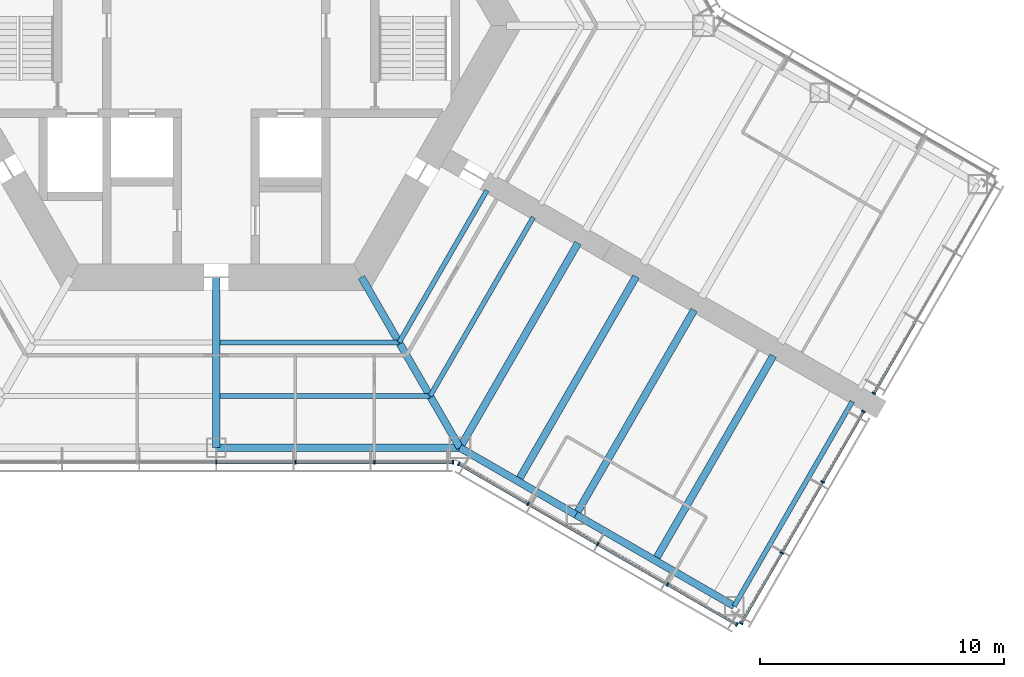
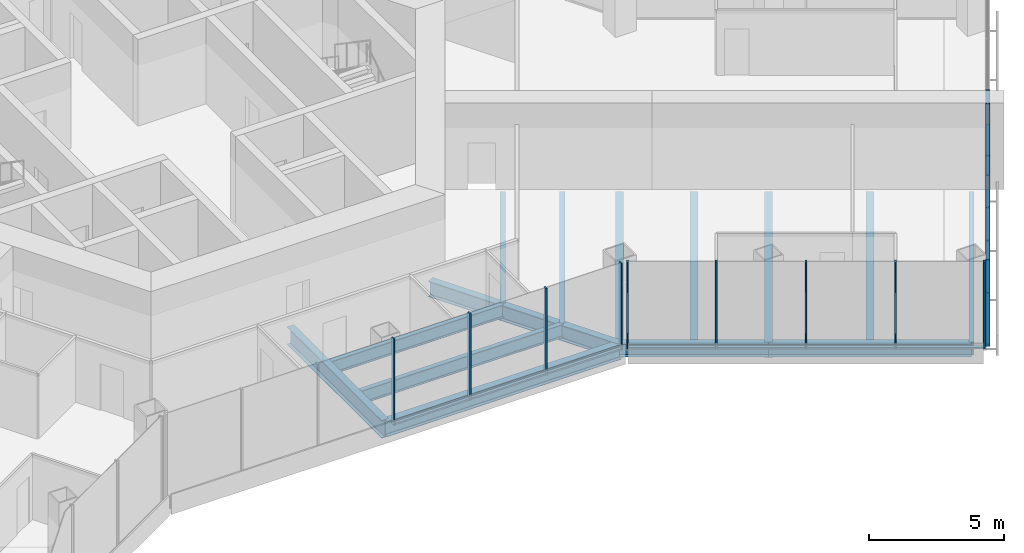
# One storey, part 5 of 18: 25 members, 14 beams, 4 elements without a shape of their own.
"""IFC4 building model written with IfcOpenShell, lengths in metres."""

from ifc_helpers import new_model, si_unit, direction, frame, origin, origin_2d, place, context, subcontext, project, spatial, rectangle, i_section, extrude, material, material_profile, profile_set, type_object, element, aggregate, save


model = new_model("IFC4")

# Units and contexts
model_context = context("Model", 3, precision=1e-05, world=origin(), true_north=direction((0.0, 1.0)))
body_context = subcontext(model_context, "Body", "Model", "MODEL_VIEW")
ifc_project = project(units=[si_unit("LENGTHUNIT", "METRE"), si_unit("AREAUNIT", "SQUARE_METRE"), si_unit("VOLUMEUNIT", "CUBIC_METRE"), si_unit("PLANEANGLEUNIT", "RADIAN"), si_unit("MASSUNIT", "GRAM", prefix="KILO")], contexts=[model_context])

# Site, building, storey
site_placement = place(None, origin())
site = spatial("IfcSite", under=ifc_project, at=site_placement, CompositionType="ELEMENT")
building_placement = place(site_placement, origin())
building = spatial("IfcBuilding", under=site, at=building_placement, Name="Kasaneha Research Tower", CompositionType="ELEMENT")
storey_placement = place(building_placement, frame((0.0, 0.0, 115.800048828125)))
storey = spatial("IfcBuildingStorey", under=building, at=storey_placement, Name="L29", CompositionType="ELEMENT", Elevation=115.800048828125)

# Beams
ifc_material_1 = material(Name="Steel SN490B", Category="steel")
ifc_material_profile_1 = material_profile(ifc_material_1, i_section(OverallWidth=0.199951171875, OverallDepth=0.60009765625, WebThickness=0.010986328125, FlangeThickness=0.01708984375, FilletRadius=0.012939453125, at=origin_2d()), Name="H-600x200x11x17")
ifc_profile_set_1 = profile_set([ifc_material_profile_1], Name="Steel SN490B")
beam_type_1 = type_object("IfcBeamType", Name="B1-3 secondary beam H-600x200x11x17", PredefinedType="JOIST", material=ifc_profile_set_1)
beam_1_placement = place(storey_placement, frame((7.505615234375, -13.0, -0.449951171875), z_axis=(-1.0, 0.0, 0.0), x_axis=(0.0, -1.0, 0.0)))
element("IfcBeam", 1, at=beam_1_placement, inside=storey, type_object=beam_type_1, Name="Secondary beam RS270R1 L29", PredefinedType="JOIST", context=body_context, shape_type="SweptSolid", body=[
    extrude(i_section(OverallWidth=0.199951171875, OverallDepth=0.60009765625, WebThickness=0.010986328125, FlangeThickness=0.01708984375, FilletRadius=0.012939453125, at=origin_2d()), origin(), (0.0, 0.0, 1.0), 7.355712890625),
])
beam_2_placement = place(storey_placement, frame((8.775634765625, -15.199951171875, -0.449951171875), z_axis=(-1.0, 0.0, 0.0), x_axis=(0.0, -1.0, 0.0)))
element("IfcBeam", 2, at=beam_2_placement, inside=storey, type_object=beam_type_1, Name="Secondary beam RS270R2 L29", PredefinedType="JOIST", context=body_context, shape_type="SweptSolid", body=[
    extrude(i_section(OverallWidth=0.199951171875, OverallDepth=0.60009765625, WebThickness=0.010986328125, FlangeThickness=0.01708984375, FilletRadius=0.012939453125, at=origin_2d()), origin(), (0.0, 0.0, 1.0), 8.625732421875),
])
beam_3_placement = place(storey_placement, frame((7.505615234375, -13.0, -0.449951171875), z_axis=(0.499998147991, 0.86602647304, 0.0), x_axis=(-0.86602647304, 0.499998147991, 0.0)))
element("IfcBeam", 3, at=beam_3_placement, inside=storey, type_object=beam_type_1, Name="Secondary beam RS330L1 L29", PredefinedType="JOIST", context=body_context, shape_type="SweptSolid", body=[
    extrude(i_section(OverallWidth=0.199951171875, OverallDepth=0.60009765625, WebThickness=0.010986328125, FlangeThickness=0.01708984375, FilletRadius=0.012939453125, at=origin_2d()), origin(), (0.0, 0.0, 1.0), 7.20556640625),
])
beam_4_placement = place(storey_placement, frame((8.775634765625, -15.199951171875, -0.449951171875), z_axis=(0.500020829043, 0.866013377797, 0.0), x_axis=(-0.866013377797, 0.500020829043, 0.0)))
element("IfcBeam", 4, at=beam_4_placement, inside=storey, type_object=beam_type_1, Name="Secondary beam RS330L2 L29", PredefinedType="JOIST", context=body_context, shape_type="SweptSolid", body=[
    extrude(i_section(OverallWidth=0.199951171875, OverallDepth=0.60009765625, WebThickness=0.010986328125, FlangeThickness=0.01708984375, FilletRadius=0.012939453125, at=origin_2d()), origin(), (0.0, 0.0, 1.0), 8.475830078125),
])
ifc_material_2 = material(Name="Steel SN490B", Category="steel")
ifc_material_profile_2 = material_profile(ifc_material_2, i_section(OverallWidth=0.300048828125, OverallDepth=0.58203125, WebThickness=0.011962890625, FlangeThickness=0.01708984375, FilletRadius=0.012939453125, at=origin_2d()), Name="H-582x300x12x17")
ifc_profile_set_2 = profile_set([ifc_material_profile_2], Name="Steel SN490B")
beam_type_2 = type_object("IfcBeamType", Name="B2-3 secondary beam H-582x300x12x17", PredefinedType="JOIST", material=ifc_profile_set_2)
for number, where, z_axis, x_axis, name in (
    (5, (12.381591796875, -18.695556640625, -0.441162109375), (0.500010041276, 0.866019606374, 0.0), (-0.866019606374, 0.500010041276, 0.0), "Secondary beam WBCP1 L29"),
    (6, (18.0107421875, -21.945556640625, -0.441162109375), (0.500010041276, 0.866019606374, 0.0), (-0.866019606374, 0.500010041276, 0.0), "Secondary beam WBCP2 L29"),
):
    element("IfcBeam", number, at=place(storey_placement, frame(where, z_axis=z_axis, x_axis=x_axis)), inside=storey, type_object=beam_type_2, Name=name, PredefinedType="JOIST", context=body_context, shape_type="SweptSolid", body=[
        extrude(i_section(OverallWidth=0.300048828125, OverallDepth=0.58203125, WebThickness=0.011962890625, FlangeThickness=0.01708984375, FilletRadius=0.012939453125, at=origin_2d()), origin(), (0.0, 0.0, 1.0), 9.699951171875),
    ])

# Curtain wall, members
ifc_material_3 = material(Name="Glass and aluminium", Category="aluminium")
curtain_wall_type = type_object("IfcCurtainWallType", Name="Low-rise office curtain wall", PredefinedType="USERDEFINED", material=ifc_material_3)
curtain_wall_1_placement = place(storey_placement, origin())
curtain_wall_1 = element("IfcCurtainWall", 7, at=curtain_wall_1_placement, inside=storey, type_object=curtain_wall_type, Name="CW-O1 L29 run 02a", ObjectType="UNITISED CURTAIN WALL", PredefinedType="USERDEFINED")
ifc_material_4 = material(Name="Aluminium 6063-T6", Category="aluminium")
ifc_material_profile_3 = material_profile(ifc_material_4, rectangle(XDim=0.06005859375, YDim=0.159912109375, at=origin_2d()), Name="CW-O1 mullion 60x160")
ifc_profile_set_3 = profile_set([ifc_material_profile_3], Name="Aluminium 6063-T6")
member_type_1 = type_object("IfcMemberType", Name="CW-O1 mullion", PredefinedType="MULLION", material=ifc_profile_set_3)
member_1_placement = place(storey_placement, frame((0.0, -17.92041015625, 0.0), z_axis=(0.0, 0.0, 1.0), x_axis=(1.0, 0.0, 0.0)))
member_1 = element("IfcMember", 8, at=member_1_placement, type_object=member_type_1, Name="CW-O1 mullion 4", PredefinedType="MULLION", context=body_context, shape_type="SweptSolid", body=[
    extrude(rectangle(XDim=0.06005859375, YDim=0.159912109375, at=origin_2d()), origin(), (0.0, 0.0, 1.0), 3.89990234375),
])
member_2_placement = place(storey_placement, frame((3.246337890625, -17.92041015625, 0.0), z_axis=(0.0, 0.0, 1.0), x_axis=(1.0, 0.0, 0.0)))
member_2 = element("IfcMember", 9, at=member_2_placement, type_object=member_type_1, Name="CW-O1 mullion 5", PredefinedType="MULLION", context=body_context, shape_type="SweptSolid", body=[
    extrude(rectangle(XDim=0.06005859375, YDim=0.159912109375, at=origin_2d()), origin(), (0.0, 0.0, 1.0), 3.89990234375),
])
member_3_placement = place(storey_placement, frame((6.492919921875, -17.92041015625, 0.0), z_axis=(0.0, 0.0, 1.0), x_axis=(1.0, 0.0, 0.0)))
member_3 = element("IfcMember", 10, at=member_3_placement, type_object=member_type_1, Name="CW-O1 mullion 6", PredefinedType="MULLION", context=body_context, shape_type="SweptSolid", body=[
    extrude(rectangle(XDim=0.06005859375, YDim=0.159912109375, at=origin_2d()), origin(), (0.0, 0.0, 1.0), 3.89990234375),
])
member_4_placement = place(storey_placement, frame((9.709228515625, -17.92041015625, 0.0), z_axis=(0.0, 0.0, 1.0), x_axis=(1.0, 0.0, 0.0)))
member_4 = element("IfcMember", 11, at=member_4_placement, type_object=member_type_1, Name="CW-O1 mullion 7", PredefinedType="MULLION", context=body_context, shape_type="SweptSolid", body=[
    extrude(rectangle(XDim=0.06005859375, YDim=0.159912109375, at=origin_2d()), origin(), (0.0, 0.0, 1.0), 3.89990234375),
])

curtain_wall_2_placement = place(storey_placement, origin())
curtain_wall_2 = element("IfcCurtainWall", 12, at=curtain_wall_2_placement, inside=storey, type_object=curtain_wall_type, Name="CW-O1 L29 run 03a", ObjectType="UNITISED CURTAIN WALL", PredefinedType="USERDEFINED")
member_5_placement = place(storey_placement, frame((9.951904296875, -17.985595703125, 0.0), z_axis=(0.0, 0.0, 1.0), x_axis=(0.866025411464, -0.499999986699, 0.0)))
member_5 = element("IfcMember", 13, at=member_5_placement, type_object=member_type_1, Name="CW-O1 mullion 1", PredefinedType="MULLION", context=body_context, shape_type="SweptSolid", body=[
    extrude(rectangle(XDim=0.06005859375, YDim=0.159912109375, at=origin_2d()), origin(), (0.0, 0.0, 1.0), 3.89990234375),
])
member_6_placement = place(storey_placement, frame((12.792236328125, -19.62548828125, 0.0), z_axis=(0.0, 0.0, 1.0), x_axis=(0.866025411464, -0.499999986699, 0.0)))
member_6 = element("IfcMember", 14, at=member_6_placement, type_object=member_type_1, Name="CW-O1 mullion 2", PredefinedType="MULLION", context=body_context, shape_type="SweptSolid", body=[
    extrude(rectangle(XDim=0.06005859375, YDim=0.159912109375, at=origin_2d()), origin(), (0.0, 0.0, 1.0), 3.89990234375),
])
member_7_placement = place(storey_placement, frame((15.65869140625, -21.2802734375, 0.0), z_axis=(0.0, 0.0, 1.0), x_axis=(0.866025411464, -0.499999986699, 0.0)))
member_7 = element("IfcMember", 15, at=member_7_placement, type_object=member_type_1, Name="CW-O1 mullion 3", PredefinedType="MULLION", context=body_context, shape_type="SweptSolid", body=[
    extrude(rectangle(XDim=0.06005859375, YDim=0.159912109375, at=origin_2d()), origin(), (0.0, 0.0, 1.0), 3.89990234375),
])
member_8_placement = place(storey_placement, frame((18.52490234375, -22.935302734375, 0.0), z_axis=(0.0, 0.0, 1.0), x_axis=(0.866025411464, -0.499999986699, 0.0)))
member_8 = element("IfcMember", 16, at=member_8_placement, type_object=member_type_1, Name="CW-O1 mullion 4", PredefinedType="MULLION", context=body_context, shape_type="SweptSolid", body=[
    extrude(rectangle(XDim=0.06005859375, YDim=0.159912109375, at=origin_2d()), origin(), (0.0, 0.0, 1.0), 3.89990234375),
])
member_9_placement = place(storey_placement, frame((21.365478515625, -24.5751953125, 0.0), z_axis=(0.0, 0.0, 1.0), x_axis=(0.866025411464, -0.499999986699, 0.0)))
member_9 = element("IfcMember", 17, at=member_9_placement, type_object=member_type_1, Name="CW-O1 mullion 5", PredefinedType="MULLION", context=body_context, shape_type="SweptSolid", body=[
    extrude(rectangle(XDim=0.06005859375, YDim=0.159912109375, at=origin_2d()), origin(), (0.0, 0.0, 1.0), 3.89990234375),
])

curtain_wall_3_placement = place(storey_placement, origin())
curtain_wall_3 = element("IfcCurtainWall", 18, at=curtain_wall_3_placement, inside=storey, type_object=curtain_wall_type, Name="CW-O1 L29 run 04a", ObjectType="UNITISED CURTAIN WALL", PredefinedType="USERDEFINED")
member_10_placement = place(storey_placement, frame((21.54296875, -24.527587890625, 0.0), z_axis=(0.0, 0.0, 1.0), x_axis=(0.500000011442, 0.866025397178, 0.0)))
member_10 = element("IfcMember", 19, at=member_10_placement, type_object=member_type_1, Name="CW-O1 mullion 1", PredefinedType="MULLION", context=body_context, shape_type="SweptSolid", body=[
    extrude(rectangle(XDim=0.06005859375, YDim=0.159912109375, at=origin_2d()), origin(), (0.0, 0.0, 1.0), 3.89990234375),
])
member_11_placement = place(storey_placement, frame((23.211181640625, -21.637939453125, 0.0), z_axis=(0.0, 0.0, 1.0), x_axis=(0.500000011442, 0.866025397178, 0.0)))
member_11 = element("IfcMember", 20, at=member_11_placement, type_object=member_type_1, Name="CW-O1 mullion 2", PredefinedType="MULLION", context=body_context, shape_type="SweptSolid", body=[
    extrude(rectangle(XDim=0.06005859375, YDim=0.159912109375, at=origin_2d()), origin(), (0.0, 0.0, 1.0), 3.89990234375),
])
member_12_placement = place(storey_placement, frame((24.89453125, -18.72216796875, 0.0), z_axis=(0.0, 0.0, 1.0), x_axis=(0.500000011442, 0.866025397178, 0.0)))
member_12 = element("IfcMember", 21, at=member_12_placement, type_object=member_type_1, Name="CW-O1 mullion 3", PredefinedType="MULLION", context=body_context, shape_type="SweptSolid", body=[
    extrude(rectangle(XDim=0.06005859375, YDim=0.159912109375, at=origin_2d()), origin(), (0.0, 0.0, 1.0), 3.89990234375),
])
member_13_placement = place(storey_placement, frame((26.56298828125, -15.832763671875, 0.0), z_axis=(0.0, 0.0, 1.0), x_axis=(0.500000011442, 0.866025397178, 0.0)))
member_13 = element("IfcMember", 22, at=member_13_placement, type_object=member_type_1, Name="CW-O1 mullion 4", PredefinedType="MULLION", context=body_context, shape_type="SweptSolid", body=[
    extrude(rectangle(XDim=0.06005859375, YDim=0.159912109375, at=origin_2d()), origin(), (0.0, 0.0, 1.0), 3.89990234375),
])

# Curtain wall, member
curtain_wall_4_placement = place(storey_placement, origin())
curtain_wall_4 = element("IfcCurtainWall", 23, at=curtain_wall_4_placement, inside=storey, type_object=curtain_wall_type, Name="CW-O1 L29 run 05a", ObjectType="UNITISED CURTAIN WALL", PredefinedType="USERDEFINED")
member_14_placement = place(storey_placement, frame((26.992919921875, -15.087890625, 0.0), z_axis=(0.0, 0.0, 1.0), x_axis=(0.500000011442, 0.866025397178, 0.0)))
member_14 = element("IfcMember", 24, at=member_14_placement, type_object=member_type_1, Name="CW-O1 mullion 1", PredefinedType="MULLION", context=body_context, shape_type="SweptSolid", body=[
    extrude(rectangle(XDim=0.06005859375, YDim=0.159912109375, at=origin_2d()), origin(), (0.0, 0.0, 1.0), 3.89990234375),
])

# Member
ifc_material_5 = material(Name="Aluminium 6063-T6", Category="aluminium")
ifc_material_profile_4 = material_profile(ifc_material_5, rectangle(XDim=0.1201171875, YDim=0.06005859375, at=origin_2d()), Name="CW-O1 transom 120x60")
ifc_profile_set_4 = profile_set([ifc_material_profile_4], Name="Aluminium 6063-T6")
member_type_2 = type_object("IfcMemberType", Name="CW-O1 transom", PredefinedType="USERDEFINED", material=ifc_profile_set_4)
member_15_placement = place(storey_placement, frame((0.030029296875, -17.92041015625, 0.030029296875), z_axis=(1.0, 0.0, 0.0), x_axis=(0.0, 1.0, 0.0)))
member_15 = element("IfcMember", 25, at=member_15_placement, type_object=member_type_2, Name="CW-O1 transom 4", ObjectType="TRANSOM", PredefinedType="USERDEFINED", context=body_context, shape_type="SweptSolid", body=[
    extrude(rectangle(XDim=0.1201171875, YDim=0.06005859375, at=origin_2d()), origin(), (0.0, 0.0, 1.0), 3.186279296875),
])

member_16_placement = place(storey_placement, frame((3.2763671875, -17.92041015625, 0.030029296875), z_axis=(1.0, 0.0, 0.0), x_axis=(0.0, 1.0, 0.0)))
member_16 = element("IfcMember", 26, at=member_16_placement, type_object=member_type_2, Name="CW-O1 transom 5", ObjectType="TRANSOM", PredefinedType="USERDEFINED", context=body_context, shape_type="SweptSolid", body=[
    extrude(rectangle(XDim=0.1201171875, YDim=0.06005859375, at=origin_2d()), origin(), (0.0, 0.0, 1.0), 3.1865234375),
])

member_17_placement = place(storey_placement, frame((6.522705078125, -17.92041015625, 0.030029296875), z_axis=(1.0, 0.0, 0.0), x_axis=(0.0, 1.0, 0.0)))
member_17 = element("IfcMember", 27, at=member_17_placement, type_object=member_type_2, Name="CW-O1 transom 6", ObjectType="TRANSOM", PredefinedType="USERDEFINED", context=body_context, shape_type="SweptSolid", body=[
    extrude(rectangle(XDim=0.1201171875, YDim=0.06005859375, at=origin_2d()), origin(), (0.0, 0.0, 1.0), 3.156494140625),
])

aggregate(curtain_wall_1, [member_1, member_2, member_3, member_4, member_15, member_16, member_17])

member_18_placement = place(storey_placement, frame((9.977783203125, -18.00048828125, 0.030029296875), z_axis=(0.866022692473, -0.500004696101, 0.0), x_axis=(0.500004696101, 0.866022692473, 0.0)))
member_18 = element("IfcMember", 28, at=member_18_placement, type_object=member_type_2, Name="CW-O1 transom 1", ObjectType="TRANSOM", PredefinedType="USERDEFINED", context=body_context, shape_type="SweptSolid", body=[
    extrude(rectangle(XDim=0.1201171875, YDim=0.06005859375, at=origin_2d()), origin(), (0.0, 0.0, 1.0), 3.2197265625),
])

member_19_placement = place(storey_placement, frame((12.818115234375, -19.640380859375, 0.030029296875), z_axis=(0.866015446554, -0.500017246033, 0.0), x_axis=(0.500017246033, 0.866015446554, 0.0)))
member_19 = element("IfcMember", 29, at=member_19_placement, type_object=member_type_2, Name="CW-O1 transom 2", ObjectType="TRANSOM", PredefinedType="USERDEFINED", context=body_context, shape_type="SweptSolid", body=[
    extrude(rectangle(XDim=0.1201171875, YDim=0.06005859375, at=origin_2d()), origin(), (0.0, 0.0, 1.0), 3.25),
])

member_20_placement = place(storey_placement, frame((15.6845703125, -21.29541015625, 0.030029296875), z_axis=(0.86604797581, -0.499960902066, 0.0), x_axis=(0.499960902066, 0.86604797581, 0.0)))
member_20 = element("IfcMember", 30, at=member_20_placement, type_object=member_type_2, Name="CW-O1 transom 3", ObjectType="TRANSOM", PredefinedType="USERDEFINED", context=body_context, shape_type="SweptSolid", body=[
    extrude(rectangle(XDim=0.1201171875, YDim=0.06005859375, at=origin_2d()), origin(), (0.0, 0.0, 1.0), 3.249755859375),
])

member_21_placement = place(storey_placement, frame((18.551025390625, -22.9501953125, 0.030029296875), z_axis=(0.866022692473, -0.500004696101, 0.0), x_axis=(0.500004696101, 0.866022692473, 0.0)))
member_21 = element("IfcMember", 31, at=member_21_placement, type_object=member_type_2, Name="CW-O1 transom 4", ObjectType="TRANSOM", PredefinedType="USERDEFINED", context=body_context, shape_type="SweptSolid", body=[
    extrude(rectangle(XDim=0.1201171875, YDim=0.06005859375, at=origin_2d()), origin(), (0.0, 0.0, 1.0), 3.2197265625),
])

aggregate(curtain_wall_2, [member_5, member_6, member_7, member_8, member_9, member_18, member_19, member_20, member_21])

member_22_placement = place(storey_placement, frame((21.557861328125, -24.50146484375, 0.030029296875), z_axis=(0.500025583411, 0.866010632691, 0.0), x_axis=(-0.866010632691, 0.500025583411, 0.0)))
member_22 = element("IfcMember", 32, at=member_22_placement, type_object=member_type_2, Name="CW-O1 transom 1", ObjectType="TRANSOM", PredefinedType="USERDEFINED", context=body_context, shape_type="SweptSolid", body=[
    extrude(rectangle(XDim=0.1201171875, YDim=0.06005859375, at=origin_2d()), origin(), (0.0, 0.0, 1.0), 3.276611328125),
])

member_23_placement = place(storey_placement, frame((23.226318359375, -21.61181640625, 0.030029296875), z_axis=(0.500014325468, 0.866017132814, 0.0), x_axis=(-0.866017132814, 0.500014325468, 0.0)))
member_23 = element("IfcMember", 33, at=member_23_placement, type_object=member_type_2, Name="CW-O1 transom 2", ObjectType="TRANSOM", PredefinedType="USERDEFINED", context=body_context, shape_type="SweptSolid", body=[
    extrude(rectangle(XDim=0.1201171875, YDim=0.06005859375, at=origin_2d()), origin(), (0.0, 0.0, 1.0), 3.306640625),
])

member_24_placement = place(storey_placement, frame((24.90966796875, -18.6962890625, 0.030029296875), z_axis=(0.499969700927, 0.866042896256, 0.0), x_axis=(-0.866042896256, 0.499969700927, 0.0)))
member_24 = element("IfcMember", 34, at=member_24_placement, type_object=member_type_2, Name="CW-O1 transom 3", ObjectType="TRANSOM", PredefinedType="USERDEFINED", context=body_context, shape_type="SweptSolid", body=[
    extrude(rectangle(XDim=0.1201171875, YDim=0.06005859375, at=origin_2d()), origin(), (0.0, 0.0, 1.0), 3.276611328125),
])

aggregate(curtain_wall_3, [member_10, member_11, member_12, member_13, member_22, member_23, member_24])

member_25_placement = place(storey_placement, frame((27.008056640625, -15.061767578125, 0.030029296875), z_axis=(0.499969700927, 0.866042896256, 0.0), x_axis=(-0.866042896256, 0.499969700927, 0.0)))
member_25 = element("IfcMember", 35, at=member_25_placement, type_object=member_type_2, Name="CW-O1 transom 1", ObjectType="TRANSOM", PredefinedType="USERDEFINED", context=body_context, shape_type="SweptSolid", body=[
    extrude(rectangle(XDim=0.1201171875, YDim=0.06005859375, at=origin_2d()), origin(), (0.0, 0.0, 1.0), 3.276611328125),
])

aggregate(curtain_wall_4, [member_14, member_25])

# Beams
ifc_material_6 = material(Name="Steel SN490B", Category="steel")
ifc_material_profile_5 = material_profile(ifc_material_6, i_section(OverallWidth=0.300048828125, OverallDepth=0.699951171875, WebThickness=0.012939453125, FlangeThickness=0.02392578125, FilletRadius=0.01806640625, at=origin_2d()), Name="H-700x300x13x24")
ifc_profile_set_5 = profile_set([ifc_material_profile_5], Name="Steel SN490B")
beam_type_3 = type_object("IfcBeamType", Name="G1-3 radial girder H-700x300x13x24", PredefinedType="BEAM", material=ifc_profile_set_5)
beam_5_placement = place(storey_placement, frame((5.961181640625, -10.324951171875, -0.5), z_axis=(0.49999105496, -0.866030568144, 0.0), x_axis=(0.866030568144, 0.49999105496, 0.0)))
element("IfcBeam", 36, at=beam_5_placement, inside=storey, type_object=beam_type_3, Name="Radial girder RV300 L29", PredefinedType="BEAM", context=body_context, shape_type="SweptSolid", body=[
    extrude(i_section(OverallWidth=0.300048828125, OverallDepth=0.699951171875, WebThickness=0.012939453125, FlangeThickness=0.02392578125, FilletRadius=0.01806640625, at=origin_2d()), origin(), (0.0, 0.0, 1.0), 8.077880859375),
])
ifc_material_7 = material(Name="Steel SN490B", Category="steel")
ifc_material_profile_6 = material_profile(ifc_material_7, i_section(OverallWidth=0.300048828125, OverallDepth=0.800048828125, WebThickness=0.013916015625, FlangeThickness=0.02587890625, FilletRadius=0.01806640625, at=origin_2d()), Name="H-800x300x14x26")
ifc_profile_set_6 = profile_set([ifc_material_profile_6], Name="Steel SN490B")
beam_type_4 = type_object("IfcBeamType", Name="G2-3 radial girder H-800x300x14x26", PredefinedType="BEAM", material=ifc_profile_set_6)
beam_6_placement = place(storey_placement, frame((0.0, -10.324951171875, -0.550048828125), z_axis=(0.0, -1.0, 0.0), x_axis=(1.0, 0.0, 0.0)))
element("IfcBeam", 37, at=beam_6_placement, inside=storey, type_object=beam_type_4, Name="Radial girder RM270 L29", PredefinedType="BEAM", context=body_context, shape_type="SweptSolid", body=[
    extrude(i_section(OverallWidth=0.300048828125, OverallDepth=0.800048828125, WebThickness=0.013916015625, FlangeThickness=0.02587890625, FilletRadius=0.01806640625, at=origin_2d()), origin(), (0.0, 0.0, 1.0), 6.99560546875),
])
ifc_material_8 = material(Name="Steel SN490B", Category="steel")
ifc_material_profile_7 = material_profile(ifc_material_8, i_section(OverallWidth=0.300048828125, OverallDepth=0.69189453125, WebThickness=0.012939453125, FlangeThickness=0.02001953125, FilletRadius=0.01806640625, at=origin_2d()), Name="H-692x300x13x20")
ifc_profile_set_7 = profile_set([ifc_material_profile_7], Name="Steel SN490B")
beam_type_5 = type_object("IfcBeamType", Name="G3-3 plate edge girder H-692x300x13x20", PredefinedType="BEAM", material=ifc_profile_set_7)
beam_7_placement = place(storey_placement, frame((10.0, -17.320556640625, -0.49609375), z_axis=(0.500010041276, 0.866019606374, 0.0), x_axis=(-0.866019606374, 0.500010041276, 0.0)))
element("IfcBeam", 38, at=beam_7_placement, inside=storey, type_object=beam_type_5, Name="Plate edge girder PECP L29", PredefinedType="BEAM", context=body_context, shape_type="SweptSolid", body=[
    extrude(i_section(OverallWidth=0.300048828125, OverallDepth=0.69189453125, WebThickness=0.012939453125, FlangeThickness=0.02001953125, FilletRadius=0.01806640625, at=origin_2d()), origin(), (0.0, 0.0, 1.0), 9.699951171875),
])
ifc_material_9 = material(Name="Steel SN490B", Category="steel")
ifc_material_profile_8 = material_profile(ifc_material_9, i_section(OverallWidth=0.300048828125, OverallDepth=0.699951171875, WebThickness=0.012939453125, FlangeThickness=0.02392578125, FilletRadius=0.01806640625, at=origin_2d()), Name="H-700x300x13x24")
ifc_profile_set_8 = profile_set([ifc_material_profile_8], Name="Steel SN490B")
beam_type_6 = type_object("IfcBeamType", Name="G4-3 wing girder H-700x300x13x24", PredefinedType="BEAM", material=ifc_profile_set_8)
beam_8_placement = place(storey_placement, frame((14.76318359375, -20.070556640625, -0.5), z_axis=(0.499991164321, 0.866030505006, 0.0), x_axis=(-0.866030505006, 0.499991164321, 0.0)))
element("IfcBeam", 39, at=beam_8_placement, inside=storey, type_object=beam_type_6, Name="Wing girder WGCP L29", PredefinedType="BEAM", context=body_context, shape_type="SweptSolid", body=[
    extrude(i_section(OverallWidth=0.300048828125, OverallDepth=0.699951171875, WebThickness=0.012939453125, FlangeThickness=0.02392578125, FilletRadius=0.01806640625, at=origin_2d()), origin(), (0.0, 0.0, 1.0), 9.699951171875),
])
ifc_material_10 = material(Name="Steel SN490B", Category="steel")
ifc_material_profile_9 = material_profile(ifc_material_10, i_section(OverallWidth=0.300048828125, OverallDepth=0.69189453125, WebThickness=0.012939453125, FlangeThickness=0.02001953125, FilletRadius=0.01806640625, at=origin_2d()), Name="H-692x300x13x20")
ifc_profile_set_9 = profile_set([ifc_material_profile_9], Name="Steel SN490B")
beam_type_7 = type_object("IfcBeamType", Name="SB1-3 spandrel beam H-692x300x13x20", PredefinedType="SPANDREL", material=ifc_profile_set_9)
beam_9_placement = place(storey_placement, frame((10.0, -17.320556640625, -0.49609375), z_axis=(-1.0, 0.0, 0.0), x_axis=(0.0, -1.0, 0.0)))
element("IfcBeam", 40, at=beam_9_placement, inside=storey, type_object=beam_type_7, Name="Spandrel beam SR270R L29", PredefinedType="SPANDREL", context=body_context, shape_type="SweptSolid", body=[
    extrude(i_section(OverallWidth=0.300048828125, OverallDepth=0.69189453125, WebThickness=0.012939453125, FlangeThickness=0.02001953125, FilletRadius=0.01806640625, at=origin_2d()), origin(), (0.0, 0.0, 1.0), 10.0),
])
ifc_material_11 = material(Name="Steel SN490B", Category="steel")
ifc_material_profile_10 = material_profile(ifc_material_11, i_section(OverallWidth=0.300048828125, OverallDepth=0.58203125, WebThickness=0.011962890625, FlangeThickness=0.01708984375, FilletRadius=0.012939453125, at=origin_2d()), Name="H-582x300x12x17")
ifc_profile_set_10 = profile_set([ifc_material_profile_10], Name="Steel SN490B")
beam_type_8 = type_object("IfcBeamType", Name="SB2-3 spandrel beam H-582x300x12x17", PredefinedType="SPANDREL", material=ifc_profile_set_10)
beam_10_placement = place(storey_placement, frame((10.0, -17.320556640625, -0.441162109375), z_axis=(0.866027397988, -0.499996545922, 0.0), x_axis=(0.499996545922, 0.866027397988, 0.0)))
element("IfcBeam", 41, at=beam_10_placement, inside=storey, type_object=beam_type_8, Name="Spandrel beam WSCP1 L29", PredefinedType="SPANDREL", context=body_context, shape_type="SweptSolid", body=[
    extrude(i_section(OverallWidth=0.300048828125, OverallDepth=0.58203125, WebThickness=0.011962890625, FlangeThickness=0.01708984375, FilletRadius=0.012939453125, at=origin_2d()), origin(), (0.0, 0.0, 1.0), 5.5),
])
beam_11_placement = place(storey_placement, frame((14.76318359375, -20.070556640625, -0.441162109375), z_axis=(0.866022959057, -0.500004234368, 0.0), x_axis=(0.500004234368, 0.866022959057, 0.0)))
element("IfcBeam", 42, at=beam_11_placement, inside=storey, type_object=beam_type_8, Name="Spandrel beam WSCP2 L29", PredefinedType="SPANDREL", context=body_context, shape_type="SweptSolid", body=[
    extrude(i_section(OverallWidth=0.300048828125, OverallDepth=0.58203125, WebThickness=0.011962890625, FlangeThickness=0.01708984375, FilletRadius=0.012939453125, at=origin_2d()), origin(), (0.0, 0.0, 1.0), 7.5),
])
ifc_material_12 = material(Name="Steel SN490B", Category="steel")
ifc_material_profile_11 = material_profile(ifc_material_12, i_section(OverallWidth=0.199951171875, OverallDepth=0.60009765625, WebThickness=0.010986328125, FlangeThickness=0.01708984375, FilletRadius=0.012939453125, at=origin_2d()), Name="H-600x200x11x17")
ifc_profile_set_11 = profile_set([ifc_material_profile_11], Name="Steel SN490B")
beam_type_9 = type_object("IfcBeamType", Name="SB3-3 spandrel beam H-600x200x11x17", PredefinedType="SPANDREL", material=ifc_profile_set_11)
beam_12_placement = place(storey_placement, frame((21.25830078125, -23.820556640625, -0.449951171875), z_axis=(0.500010041276, 0.866019606374, 0.0), x_axis=(-0.866019606374, 0.500010041276, 0.0)))
element("IfcBeam", 43, at=beam_12_placement, inside=storey, type_object=beam_type_9, Name="Spandrel beam WTCP L29", PredefinedType="SPANDREL", context=body_context, shape_type="SweptSolid", body=[
    extrude(i_section(OverallWidth=0.199951171875, OverallDepth=0.60009765625, WebThickness=0.010986328125, FlangeThickness=0.01708984375, FilletRadius=0.012939453125, at=origin_2d()), origin(), (0.0, 0.0, 1.0), 9.699951171875),
])

save(model, "model.ifc")
